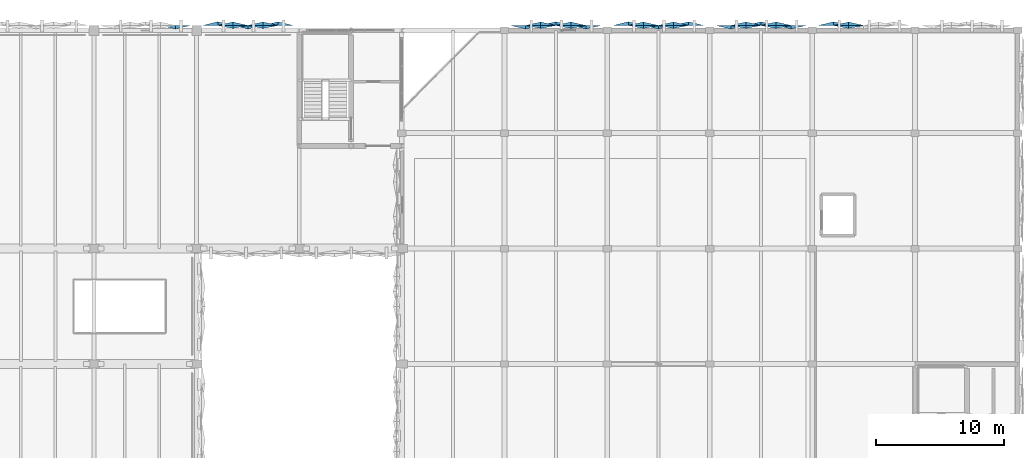
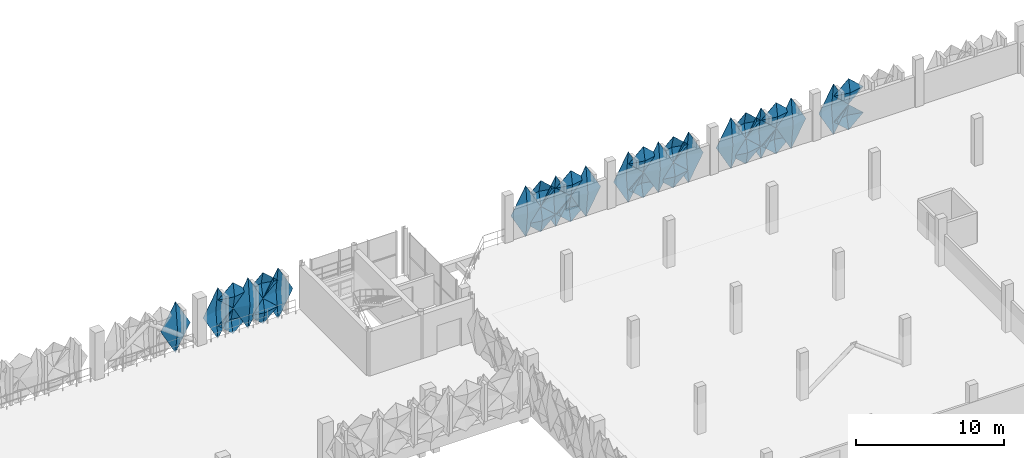
# One storey, part 70 of 83: 32 plates.
"""IFC4 building model written with IfcOpenShell, lengths in metres."""

from ifc_helpers import new_model, si_unit, derived_unit, direction, frame, origin, place, context, subcontext, project, spatial, polygons, material, layer, layer_set, type_object, element, save


model = new_model("IFC4")

# Units and contexts
model_context = context("Model", 3, precision=1e-05, world=origin(), true_north=direction((0.0, 1.0)))
body_context = subcontext(model_context, "Body", "Model", "MODEL_VIEW")
ifc_project = project(units=[si_unit("LENGTHUNIT", "METRE"), si_unit("AREAUNIT", "SQUARE_METRE"), si_unit("VOLUMEUNIT", "CUBIC_METRE"), si_unit("PLANEANGLEUNIT", "RADIAN"), si_unit("MASSUNIT", "GRAM", prefix="KILO"), si_unit("THERMODYNAMICTEMPERATUREUNIT", "KELVIN"), derived_unit("THERMALTRANSMITTANCEUNIT", [(si_unit("POWERUNIT", "WATT"), 1), (si_unit("AREAUNIT", "SQUARE_METRE"), -1), (si_unit("THERMODYNAMICTEMPERATUREUNIT", "KELVIN"), -1)])], contexts=[model_context])

# Site, building, storey
site_placement = place(None, origin())
site = spatial("IfcSite", under=ifc_project, at=site_placement, CompositionType="ELEMENT")
building_placement = place(site_placement, origin())
building = spatial("IfcBuilding", under=site, at=building_placement, Name="Haiyu Intermodal Mobility Hub", CompositionType="ELEMENT")
storey_placement = place(building_placement, frame((0.0, 0.0, 13.39990234375)))
storey = spatial("IfcBuildingStorey", under=building, at=storey_placement, Name="L03", CompositionType="ELEMENT", Elevation=13.39990234375)

# Plates
ifc_material = material(Name="Anodised aluminium 6063-T6", Category="aluminium")
ifc_layer_1 = layer(ifc_material, 0.01806640625)
ifc_layer_set_1 = layer_set([ifc_layer_1], Name="Anodised aluminium 6063-T6")
plate_type_1 = type_object("IfcPlateType", Name="PLT-FC01", PredefinedType="USERDEFINED", material=ifc_layer_set_1)
plate_1_placement = place(storey_placement, origin())
element("IfcPlate", 1, at=plate_1_placement, inside=storey, type_object=plate_type_1, Name="PLT-PYR-0502", ObjectType="FACADE CASSETTE", PredefinedType="USERDEFINED", context=body_context, shape_type="Tessellation", body=[
    polygons([(151.173095703125, 148.39990234375, 1.6201171875), (150.02001953125, 148.39990234375, 2.670166015625), (151.173095703125, 148.39990234375, 3.72021484375), (152.326904296875, 148.39990234375, 2.670166015625), (151.173095703125, 148.659912109375, 2.670166015625), (151.173095703125, 148.3779296875, 1.6201171875), (150.02001953125, 148.3779296875, 2.670166015625), (151.173095703125, 148.3779296875, 3.72021484375), (152.326904296875, 148.3779296875, 2.670166015625), (151.173095703125, 148.637939453125, 2.670166015625)], [[[1, 2, 5]], [[2, 3, 5]], [[3, 4, 5]], [[4, 1, 5]], [[7, 6, 10]], [[8, 7, 10]], [[9, 8, 10]], [[6, 9, 10]], [[1, 6, 7, 2]], [[2, 7, 8, 3]], [[3, 8, 9, 4]], [[4, 9, 6, 1]]], closed=True),
])
plate_2_placement = place(storey_placement, origin())
element("IfcPlate", 2, at=plate_2_placement, inside=storey, type_object=plate_type_1, Name="PLT-PYR-1242", ObjectType="FACADE CASSETTE", PredefinedType="USERDEFINED", context=body_context, shape_type="Tessellation", body=[
    polygons([(174.0, 148.39990234375, -0.510009765625), (172.846923828125, 148.39990234375, 1.60009765625), (174.0, 148.39990234375, 3.710205078125), (175.153076171875, 148.39990234375, 1.60009765625), (174.0, 148.679931640625, 1.60009765625), (174.0, 148.3779296875, -0.510009765625), (172.846923828125, 148.3779296875, 1.60009765625), (174.0, 148.3779296875, 3.710205078125), (175.153076171875, 148.3779296875, 1.60009765625), (174.0, 148.657958984375, 1.60009765625)], [[[1, 2, 5]], [[2, 3, 5]], [[3, 4, 5]], [[4, 1, 5]], [[7, 6, 10]], [[8, 7, 10]], [[9, 8, 10]], [[6, 9, 10]], [[1, 6, 7, 2]], [[2, 7, 8, 3]], [[3, 8, 9, 4]], [[4, 9, 6, 1]]], closed=True),
])
plate_3_placement = place(storey_placement, origin())
element("IfcPlate", 3, at=plate_3_placement, inside=storey, type_object=plate_type_1, Name="PLT-PYR-1244", ObjectType="FACADE CASSETTE", PredefinedType="USERDEFINED", context=body_context, shape_type="Tessellation", body=[
    polygons([(172.826904296875, 148.39990234375, 1.6201171875), (171.673095703125, 148.39990234375, 2.670166015625), (172.826904296875, 148.39990234375, 3.72021484375), (173.97998046875, 148.39990234375, 2.670166015625), (172.826904296875, 148.659912109375, 2.670166015625), (172.826904296875, 148.3779296875, 1.6201171875), (171.673095703125, 148.3779296875, 2.670166015625), (172.826904296875, 148.3779296875, 3.72021484375), (173.97998046875, 148.3779296875, 2.670166015625), (172.826904296875, 148.637939453125, 2.670166015625)], [[[1, 2, 5]], [[2, 3, 5]], [[3, 4, 5]], [[4, 1, 5]], [[7, 6, 10]], [[8, 7, 10]], [[9, 8, 10]], [[6, 9, 10]], [[1, 6, 7, 2]], [[2, 7, 8, 3]], [[3, 8, 9, 4]], [[4, 9, 6, 1]]], closed=True),
])
plate_4_placement = place(storey_placement, origin())
element("IfcPlate", 4, at=plate_4_placement, inside=storey, type_object=plate_type_1, Name="PLT-PYR-1248", ObjectType="FACADE CASSETTE", PredefinedType="USERDEFINED", context=body_context, shape_type="Tessellation", body=[
    polygons([(183.173095703125, 148.39990234375, 1.6201171875), (182.02001953125, 148.39990234375, 2.670166015625), (183.173095703125, 148.39990234375, 3.72021484375), (184.326904296875, 148.39990234375, 2.670166015625), (183.173095703125, 148.659912109375, 2.670166015625), (183.173095703125, 148.3779296875, 1.6201171875), (182.02001953125, 148.3779296875, 2.670166015625), (183.173095703125, 148.3779296875, 3.72021484375), (184.326904296875, 148.3779296875, 2.670166015625), (183.173095703125, 148.637939453125, 2.670166015625)], [[[1, 2, 5]], [[2, 3, 5]], [[3, 4, 5]], [[4, 1, 5]], [[7, 6, 10]], [[8, 7, 10]], [[9, 8, 10]], [[6, 9, 10]], [[1, 6, 7, 2]], [[2, 7, 8, 3]], [[3, 8, 9, 4]], [[4, 9, 6, 1]]], closed=True),
])
plate_5_placement = place(storey_placement, origin())
element("IfcPlate", 5, at=plate_5_placement, inside=storey, type_object=plate_type_1, Name="PLT-PYR-1256", ObjectType="FACADE CASSETTE", PredefinedType="USERDEFINED", context=body_context, shape_type="Tessellation", body=[
    polygons([(190.0, 148.39990234375, -0.510009765625), (188.846923828125, 148.39990234375, 1.60009765625), (190.0, 148.39990234375, 3.710205078125), (191.153076171875, 148.39990234375, 1.60009765625), (190.0, 148.679931640625, 1.60009765625), (190.0, 148.3779296875, -0.510009765625), (188.846923828125, 148.3779296875, 1.60009765625), (190.0, 148.3779296875, 3.710205078125), (191.153076171875, 148.3779296875, 1.60009765625), (190.0, 148.657958984375, 1.60009765625)], [[[1, 2, 5]], [[2, 3, 5]], [[3, 4, 5]], [[4, 1, 5]], [[7, 6, 10]], [[8, 7, 10]], [[9, 8, 10]], [[6, 9, 10]], [[1, 6, 7, 2]], [[2, 7, 8, 3]], [[3, 8, 9, 4]], [[4, 9, 6, 1]]], closed=True),
])
plate_6_placement = place(storey_placement, origin())
element("IfcPlate", 6, at=plate_6_placement, inside=storey, type_object=plate_type_1, Name="PLT-PYR-1258", ObjectType="FACADE CASSETTE", PredefinedType="USERDEFINED", context=body_context, shape_type="Tessellation", body=[
    polygons([(188.826904296875, 148.39990234375, 1.6201171875), (187.673095703125, 148.39990234375, 2.670166015625), (188.826904296875, 148.39990234375, 3.72021484375), (189.97998046875, 148.39990234375, 2.670166015625), (188.826904296875, 148.659912109375, 2.670166015625), (188.826904296875, 148.3779296875, 1.6201171875), (187.673095703125, 148.3779296875, 2.670166015625), (188.826904296875, 148.3779296875, 3.72021484375), (189.97998046875, 148.3779296875, 2.670166015625), (188.826904296875, 148.637939453125, 2.670166015625)], [[[1, 2, 5]], [[2, 3, 5]], [[3, 4, 5]], [[4, 1, 5]], [[7, 6, 10]], [[8, 7, 10]], [[9, 8, 10]], [[6, 9, 10]], [[1, 6, 7, 2]], [[2, 7, 8, 3]], [[3, 8, 9, 4]], [[4, 9, 6, 1]]], closed=True),
])
ifc_layer_2 = layer(ifc_material, 0.02001953125)
ifc_layer_set_2 = layer_set([ifc_layer_2], Name="Anodised aluminium 6063-T6")
plate_type_2 = type_object("IfcPlateType", Name="PLT-FC02", PredefinedType="USERDEFINED", material=ifc_layer_set_2)
plate_7_placement = place(storey_placement, origin())
element("IfcPlate", 7, at=plate_7_placement, inside=storey, type_object=plate_type_2, Name="PLT-PYR-0503", ObjectType="FACADE CASSETTE", PredefinedType="USERDEFINED", context=body_context, shape_type="Tessellation", body=[
    polygons([(150.0, 148.39990234375, -0.510009765625), (148.846923828125, 148.39990234375, 1.60009765625), (150.0, 148.39990234375, 3.710205078125), (151.153076171875, 148.39990234375, 1.60009765625), (150.0, 148.139892578125, 1.60009765625), (150.0, 148.3779296875, -0.510009765625), (148.846923828125, 148.3779296875, 1.60009765625), (150.0, 148.3779296875, 3.710205078125), (151.153076171875, 148.3779296875, 1.60009765625), (150.0, 148.117919921875, 1.60009765625)], [[[1, 2, 5]], [[2, 3, 5]], [[3, 4, 5]], [[4, 1, 5]], [[7, 6, 10]], [[8, 7, 10]], [[9, 8, 10]], [[6, 9, 10]], [[1, 6, 7, 2]], [[2, 7, 8, 3]], [[3, 8, 9, 4]], [[4, 9, 6, 1]]], closed=True),
])
plate_8_placement = place(storey_placement, origin())
element("IfcPlate", 8, at=plate_8_placement, inside=storey, type_object=plate_type_2, Name="PLT-PYR-0505", ObjectType="FACADE CASSETTE", PredefinedType="USERDEFINED", context=body_context, shape_type="Tessellation", body=[
    polygons([(148.826904296875, 148.39990234375, 1.6201171875), (147.673095703125, 148.39990234375, 2.670166015625), (148.826904296875, 148.39990234375, 3.72021484375), (149.97998046875, 148.39990234375, 2.670166015625), (148.826904296875, 148.179931640625, 2.670166015625), (148.826904296875, 148.3779296875, 1.6201171875), (147.673095703125, 148.3779296875, 2.670166015625), (148.826904296875, 148.3779296875, 3.72021484375), (149.97998046875, 148.3779296875, 2.670166015625), (148.826904296875, 148.157958984375, 2.670166015625)], [[[1, 2, 5]], [[2, 3, 5]], [[3, 4, 5]], [[4, 1, 5]], [[7, 6, 10]], [[8, 7, 10]], [[9, 8, 10]], [[6, 9, 10]], [[1, 6, 7, 2]], [[2, 7, 8, 3]], [[3, 8, 9, 4]], [[4, 9, 6, 1]]], closed=True),
])
plate_9_placement = place(storey_placement, origin())
element("IfcPlate", 9, at=plate_9_placement, inside=storey, type_object=plate_type_2, Name="PLT-PYR-1241", ObjectType="FACADE CASSETTE", PredefinedType="USERDEFINED", context=body_context, shape_type="Tessellation", body=[
    polygons([(175.173095703125, 148.39990234375, 1.6201171875), (174.02001953125, 148.39990234375, 2.670166015625), (175.173095703125, 148.39990234375, 3.72021484375), (176.326904296875, 148.39990234375, 2.670166015625), (175.173095703125, 148.179931640625, 2.670166015625), (175.173095703125, 148.3779296875, 1.6201171875), (174.02001953125, 148.3779296875, 2.670166015625), (175.173095703125, 148.3779296875, 3.72021484375), (176.326904296875, 148.3779296875, 2.670166015625), (175.173095703125, 148.157958984375, 2.670166015625)], [[[1, 2, 5]], [[2, 3, 5]], [[3, 4, 5]], [[4, 1, 5]], [[7, 6, 10]], [[8, 7, 10]], [[9, 8, 10]], [[6, 9, 10]], [[1, 6, 7, 2]], [[2, 7, 8, 3]], [[3, 8, 9, 4]], [[4, 9, 6, 1]]], closed=True),
])
plate_10_placement = place(storey_placement, origin())
element("IfcPlate", 10, at=plate_10_placement, inside=storey, type_object=plate_type_2, Name="PLT-PYR-1249", ObjectType="FACADE CASSETTE", PredefinedType="USERDEFINED", context=body_context, shape_type="Tessellation", body=[
    polygons([(182.0, 148.39990234375, -0.510009765625), (180.846923828125, 148.39990234375, 1.60009765625), (182.0, 148.39990234375, 3.710205078125), (183.153076171875, 148.39990234375, 1.60009765625), (182.0, 148.139892578125, 1.60009765625), (182.0, 148.3779296875, -0.510009765625), (180.846923828125, 148.3779296875, 1.60009765625), (182.0, 148.3779296875, 3.710205078125), (183.153076171875, 148.3779296875, 1.60009765625), (182.0, 148.117919921875, 1.60009765625)], [[[1, 2, 5]], [[2, 3, 5]], [[3, 4, 5]], [[4, 1, 5]], [[7, 6, 10]], [[8, 7, 10]], [[9, 8, 10]], [[6, 9, 10]], [[1, 6, 7, 2]], [[2, 7, 8, 3]], [[3, 8, 9, 4]], [[4, 9, 6, 1]]], closed=True),
])
plate_11_placement = place(storey_placement, origin())
element("IfcPlate", 11, at=plate_11_placement, inside=storey, type_object=plate_type_2, Name="PLT-PYR-1251", ObjectType="FACADE CASSETTE", PredefinedType="USERDEFINED", context=body_context, shape_type="Tessellation", body=[
    polygons([(180.826904296875, 148.39990234375, 1.6201171875), (179.673095703125, 148.39990234375, 2.670166015625), (180.826904296875, 148.39990234375, 3.72021484375), (181.97998046875, 148.39990234375, 2.670166015625), (180.826904296875, 148.179931640625, 2.670166015625), (180.826904296875, 148.3779296875, 1.6201171875), (179.673095703125, 148.3779296875, 2.670166015625), (180.826904296875, 148.3779296875, 3.72021484375), (181.97998046875, 148.3779296875, 2.670166015625), (180.826904296875, 148.157958984375, 2.670166015625)], [[[1, 2, 5]], [[2, 3, 5]], [[3, 4, 5]], [[4, 1, 5]], [[7, 6, 10]], [[8, 7, 10]], [[9, 8, 10]], [[6, 9, 10]], [[1, 6, 7, 2]], [[2, 7, 8, 3]], [[3, 8, 9, 4]], [[4, 9, 6, 1]]], closed=True),
])
plate_12_placement = place(storey_placement, origin())
element("IfcPlate", 12, at=plate_12_placement, inside=storey, type_object=plate_type_2, Name="PLT-PYR-1255", ObjectType="FACADE CASSETTE", PredefinedType="USERDEFINED", context=body_context, shape_type="Tessellation", body=[
    polygons([(191.173095703125, 148.39990234375, 1.6201171875), (190.02001953125, 148.39990234375, 2.670166015625), (191.173095703125, 148.39990234375, 3.72021484375), (192.326904296875, 148.39990234375, 2.670166015625), (191.173095703125, 148.179931640625, 2.670166015625), (191.173095703125, 148.3779296875, 1.6201171875), (190.02001953125, 148.3779296875, 2.670166015625), (191.173095703125, 148.3779296875, 3.72021484375), (192.326904296875, 148.3779296875, 2.670166015625), (191.173095703125, 148.157958984375, 2.670166015625)], [[[1, 2, 5]], [[2, 3, 5]], [[3, 4, 5]], [[4, 1, 5]], [[7, 6, 10]], [[8, 7, 10]], [[9, 8, 10]], [[6, 9, 10]], [[1, 6, 7, 2]], [[2, 7, 8, 3]], [[3, 8, 9, 4]], [[4, 9, 6, 1]]], closed=True),
])
plate_13_placement = place(storey_placement, origin())
element("IfcPlate", 13, at=plate_13_placement, inside=storey, type_object=plate_type_2, Name="PLT-PYR-1265", ObjectType="FACADE CASSETTE", PredefinedType="USERDEFINED", context=body_context, shape_type="Tessellation", body=[
    polygons([(196.826904296875, 148.39990234375, 1.6201171875), (195.673095703125, 148.39990234375, 2.670166015625), (196.826904296875, 148.39990234375, 3.72021484375), (197.97998046875, 148.39990234375, 2.670166015625), (196.826904296875, 148.179931640625, 2.670166015625), (196.826904296875, 148.3779296875, 1.6201171875), (195.673095703125, 148.3779296875, 2.670166015625), (196.826904296875, 148.3779296875, 3.72021484375), (197.97998046875, 148.3779296875, 2.670166015625), (196.826904296875, 148.157958984375, 2.670166015625)], [[[1, 2, 5]], [[2, 3, 5]], [[3, 4, 5]], [[4, 1, 5]], [[7, 6, 10]], [[8, 7, 10]], [[9, 8, 10]], [[6, 9, 10]], [[1, 6, 7, 2]], [[2, 7, 8, 3]], [[3, 8, 9, 4]], [[4, 9, 6, 1]]], closed=True),
])
ifc_layer_3 = layer(ifc_material, 0.01806640625)
ifc_layer_set_3 = layer_set([ifc_layer_3], Name="Anodised aluminium 6063-T6")
plate_type_3 = type_object("IfcPlateType", Name="PLT-FC03", PredefinedType="USERDEFINED", material=ifc_layer_set_3)
plate_14_placement = place(storey_placement, origin())
element("IfcPlate", 14, at=plate_14_placement, inside=storey, type_object=plate_type_3, Name="PLT-PYR-0506", ObjectType="FACADE CASSETTE", PredefinedType="USERDEFINED", context=body_context, shape_type="Tessellation", body=[
    polygons([(147.653076171875, 148.39990234375, -0.510009765625), (146.5, 148.39990234375, 1.60009765625), (147.653076171875, 148.39990234375, 3.710205078125), (148.806884765625, 148.39990234375, 1.60009765625), (147.653076171875, 148.679931640625, 1.60009765625), (147.653076171875, 148.3779296875, -0.510009765625), (146.5, 148.3779296875, 1.60009765625), (147.653076171875, 148.3779296875, 3.710205078125), (148.806884765625, 148.3779296875, 1.60009765625), (147.653076171875, 148.657958984375, 1.60009765625)], [[[1, 2, 5]], [[2, 3, 5]], [[3, 4, 5]], [[4, 1, 5]], [[7, 6, 10]], [[8, 7, 10]], [[9, 8, 10]], [[6, 9, 10]], [[1, 6, 7, 2]], [[2, 7, 8, 3]], [[3, 8, 9, 4]], [[4, 9, 6, 1]]], closed=True),
])
plate_15_placement = place(storey_placement, origin())
element("IfcPlate", 15, at=plate_15_placement, inside=storey, type_object=plate_type_3, Name="PLT-PYR-1252", ObjectType="FACADE CASSETTE", PredefinedType="USERDEFINED", context=body_context, shape_type="Tessellation", body=[
    polygons([(179.653076171875, 148.39990234375, -0.510009765625), (178.5, 148.39990234375, 1.60009765625), (179.653076171875, 148.39990234375, 3.710205078125), (180.806884765625, 148.39990234375, 1.60009765625), (179.653076171875, 148.679931640625, 1.60009765625), (179.653076171875, 148.3779296875, -0.510009765625), (178.5, 148.3779296875, 1.60009765625), (179.653076171875, 148.3779296875, 3.710205078125), (180.806884765625, 148.3779296875, 1.60009765625), (179.653076171875, 148.657958984375, 1.60009765625)], [[[1, 2, 5]], [[2, 3, 5]], [[3, 4, 5]], [[4, 1, 5]], [[7, 6, 10]], [[8, 7, 10]], [[9, 8, 10]], [[6, 9, 10]], [[1, 6, 7, 2]], [[2, 7, 8, 3]], [[3, 8, 9, 4]], [[4, 9, 6, 1]]], closed=True),
])
plate_16_placement = place(storey_placement, origin())
element("IfcPlate", 16, at=plate_16_placement, inside=storey, type_object=plate_type_3, Name="PLT-PYR-1266", ObjectType="FACADE CASSETTE", PredefinedType="USERDEFINED", context=body_context, shape_type="Tessellation", body=[
    polygons([(195.653076171875, 148.39990234375, -0.510009765625), (194.5, 148.39990234375, 1.60009765625), (195.653076171875, 148.39990234375, 3.710205078125), (196.806884765625, 148.39990234375, 1.60009765625), (195.653076171875, 148.679931640625, 1.60009765625), (195.653076171875, 148.3779296875, -0.510009765625), (194.5, 148.3779296875, 1.60009765625), (195.653076171875, 148.3779296875, 3.710205078125), (196.806884765625, 148.3779296875, 1.60009765625), (195.653076171875, 148.657958984375, 1.60009765625)], [[[1, 2, 5]], [[2, 3, 5]], [[3, 4, 5]], [[4, 1, 5]], [[7, 6, 10]], [[8, 7, 10]], [[9, 8, 10]], [[6, 9, 10]], [[1, 6, 7, 2]], [[2, 7, 8, 3]], [[3, 8, 9, 4]], [[4, 9, 6, 1]]], closed=True),
])
ifc_layer_4 = layer(ifc_material, 0.02001953125)
ifc_layer_set_4 = layer_set([ifc_layer_4], Name="Anodised aluminium 6063-T6")
plate_type_4 = type_object("IfcPlateType", Name="PLT-FC04", PredefinedType="USERDEFINED", material=ifc_layer_set_4)
plate_17_placement = place(storey_placement, origin())
element("IfcPlate", 17, at=plate_17_placement, inside=storey, type_object=plate_type_4, Name="PLT-PYR-1245", ObjectType="FACADE CASSETTE", PredefinedType="USERDEFINED", context=body_context, shape_type="Tessellation", body=[
    polygons([(171.653076171875, 148.39990234375, -0.510009765625), (170.5, 148.39990234375, 1.60009765625), (171.653076171875, 148.39990234375, 3.710205078125), (172.806884765625, 148.39990234375, 1.60009765625), (171.653076171875, 148.139892578125, 1.60009765625), (171.653076171875, 148.3779296875, -0.510009765625), (170.5, 148.3779296875, 1.60009765625), (171.653076171875, 148.3779296875, 3.710205078125), (172.806884765625, 148.3779296875, 1.60009765625), (171.653076171875, 148.117919921875, 1.60009765625)], [[[1, 2, 5]], [[2, 3, 5]], [[3, 4, 5]], [[4, 1, 5]], [[7, 6, 10]], [[8, 7, 10]], [[9, 8, 10]], [[6, 9, 10]], [[1, 6, 7, 2]], [[2, 7, 8, 3]], [[3, 8, 9, 4]], [[4, 9, 6, 1]]], closed=True),
])
plate_18_placement = place(storey_placement, origin())
element("IfcPlate", 18, at=plate_18_placement, inside=storey, type_object=plate_type_4, Name="PLT-PYR-1259", ObjectType="FACADE CASSETTE", PredefinedType="USERDEFINED", context=body_context, shape_type="Tessellation", body=[
    polygons([(187.653076171875, 148.39990234375, -0.510009765625), (186.5, 148.39990234375, 1.60009765625), (187.653076171875, 148.39990234375, 3.710205078125), (188.806884765625, 148.39990234375, 1.60009765625), (187.653076171875, 148.139892578125, 1.60009765625), (187.653076171875, 148.3779296875, -0.510009765625), (186.5, 148.3779296875, 1.60009765625), (187.653076171875, 148.3779296875, 3.710205078125), (188.806884765625, 148.3779296875, 1.60009765625), (187.653076171875, 148.117919921875, 1.60009765625)], [[[1, 2, 5]], [[2, 3, 5]], [[3, 4, 5]], [[4, 1, 5]], [[7, 6, 10]], [[8, 7, 10]], [[9, 8, 10]], [[6, 9, 10]], [[1, 6, 7, 2]], [[2, 7, 8, 3]], [[3, 8, 9, 4]], [[4, 9, 6, 1]]], closed=True),
])
ifc_layer_5 = layer(ifc_material, 0.02197265625)
ifc_layer_set_5 = layer_set([ifc_layer_5], Name="Anodised aluminium 6063-T6")
plate_type_5 = type_object("IfcPlateType", Name="PLT-FC07", PredefinedType="USERDEFINED", material=ifc_layer_set_5)
plate_19_placement = place(storey_placement, origin())
element("IfcPlate", 19, at=plate_19_placement, inside=storey, type_object=plate_type_5, Name="PLT-PYR-0500", ObjectType="FACADE CASSETTE", PredefinedType="USERDEFINED", context=body_context, shape_type="Tessellation", body=[
    polygons([(152.346923828125, 148.39990234375, -0.510009765625), (151.193115234375, 148.39990234375, 1.60009765625), (152.346923828125, 148.39990234375, 3.710205078125), (153.5, 148.39990234375, 1.60009765625), (152.346923828125, 148.679931640625, 1.60009765625), (152.346923828125, 148.3779296875, -0.510009765625), (151.193115234375, 148.3779296875, 1.60009765625), (152.346923828125, 148.3779296875, 3.710205078125), (153.5, 148.3779296875, 1.60009765625), (152.346923828125, 148.657958984375, 1.60009765625)], [[[1, 2, 5]], [[2, 3, 5]], [[3, 4, 5]], [[4, 1, 5]], [[7, 6, 10]], [[8, 7, 10]], [[9, 8, 10]], [[6, 9, 10]], [[1, 6, 7, 2]], [[2, 7, 8, 3]], [[3, 8, 9, 4]], [[4, 9, 6, 1]]], closed=True),
])
plate_20_placement = place(storey_placement, origin())
element("IfcPlate", 20, at=plate_20_placement, inside=storey, type_object=plate_type_5, Name="PLT-PYR-0504", ObjectType="FACADE CASSETTE", PredefinedType="USERDEFINED", context=body_context, shape_type="Tessellation", body=[
    polygons([(148.826904296875, 148.39990234375, -0.52001953125), (147.673095703125, 148.39990234375, 0.530029296875), (148.826904296875, 148.39990234375, 1.580078125), (149.97998046875, 148.39990234375, 0.530029296875), (148.826904296875, 148.659912109375, 0.530029296875), (148.826904296875, 148.3779296875, -0.52001953125), (147.673095703125, 148.3779296875, 0.530029296875), (148.826904296875, 148.3779296875, 1.580078125), (149.97998046875, 148.3779296875, 0.530029296875), (148.826904296875, 148.637939453125, 0.530029296875)], [[[1, 2, 5]], [[2, 3, 5]], [[3, 4, 5]], [[4, 1, 5]], [[7, 6, 10]], [[8, 7, 10]], [[9, 8, 10]], [[6, 9, 10]], [[1, 6, 7, 2]], [[2, 7, 8, 3]], [[3, 8, 9, 4]], [[4, 9, 6, 1]]], closed=True),
])
plate_21_placement = place(storey_placement, origin())
element("IfcPlate", 21, at=plate_21_placement, inside=storey, type_object=plate_type_5, Name="PLT-PYR-1240", ObjectType="FACADE CASSETTE", PredefinedType="USERDEFINED", context=body_context, shape_type="Tessellation", body=[
    polygons([(175.173095703125, 148.39990234375, -0.52001953125), (174.02001953125, 148.39990234375, 0.530029296875), (175.173095703125, 148.39990234375, 1.580078125), (176.326904296875, 148.39990234375, 0.530029296875), (175.173095703125, 148.659912109375, 0.530029296875), (175.173095703125, 148.3779296875, -0.52001953125), (174.02001953125, 148.3779296875, 0.530029296875), (175.173095703125, 148.3779296875, 1.580078125), (176.326904296875, 148.3779296875, 0.530029296875), (175.173095703125, 148.637939453125, 0.530029296875)], [[[1, 2, 5]], [[2, 3, 5]], [[3, 4, 5]], [[4, 1, 5]], [[7, 6, 10]], [[8, 7, 10]], [[9, 8, 10]], [[6, 9, 10]], [[1, 6, 7, 2]], [[2, 7, 8, 3]], [[3, 8, 9, 4]], [[4, 9, 6, 1]]], closed=True),
])
plate_22_placement = place(storey_placement, origin())
element("IfcPlate", 22, at=plate_22_placement, inside=storey, type_object=plate_type_5, Name="PLT-PYR-1246", ObjectType="FACADE CASSETTE", PredefinedType="USERDEFINED", context=body_context, shape_type="Tessellation", body=[
    polygons([(184.346923828125, 148.39990234375, -0.510009765625), (183.193115234375, 148.39990234375, 1.60009765625), (184.346923828125, 148.39990234375, 3.710205078125), (185.5, 148.39990234375, 1.60009765625), (184.346923828125, 148.679931640625, 1.60009765625), (184.346923828125, 148.3779296875, -0.510009765625), (183.193115234375, 148.3779296875, 1.60009765625), (184.346923828125, 148.3779296875, 3.710205078125), (185.5, 148.3779296875, 1.60009765625), (184.346923828125, 148.657958984375, 1.60009765625)], [[[1, 2, 5]], [[2, 3, 5]], [[3, 4, 5]], [[4, 1, 5]], [[7, 6, 10]], [[8, 7, 10]], [[9, 8, 10]], [[6, 9, 10]], [[1, 6, 7, 2]], [[2, 7, 8, 3]], [[3, 8, 9, 4]], [[4, 9, 6, 1]]], closed=True),
])
plate_23_placement = place(storey_placement, origin())
element("IfcPlate", 23, at=plate_23_placement, inside=storey, type_object=plate_type_5, Name="PLT-PYR-1250", ObjectType="FACADE CASSETTE", PredefinedType="USERDEFINED", context=body_context, shape_type="Tessellation", body=[
    polygons([(180.826904296875, 148.39990234375, -0.52001953125), (179.673095703125, 148.39990234375, 0.530029296875), (180.826904296875, 148.39990234375, 1.580078125), (181.97998046875, 148.39990234375, 0.530029296875), (180.826904296875, 148.659912109375, 0.530029296875), (180.826904296875, 148.3779296875, -0.52001953125), (179.673095703125, 148.3779296875, 0.530029296875), (180.826904296875, 148.3779296875, 1.580078125), (181.97998046875, 148.3779296875, 0.530029296875), (180.826904296875, 148.637939453125, 0.530029296875)], [[[1, 2, 5]], [[2, 3, 5]], [[3, 4, 5]], [[4, 1, 5]], [[7, 6, 10]], [[8, 7, 10]], [[9, 8, 10]], [[6, 9, 10]], [[1, 6, 7, 2]], [[2, 7, 8, 3]], [[3, 8, 9, 4]], [[4, 9, 6, 1]]], closed=True),
])
plate_24_placement = place(storey_placement, origin())
element("IfcPlate", 24, at=plate_24_placement, inside=storey, type_object=plate_type_5, Name="PLT-PYR-1254", ObjectType="FACADE CASSETTE", PredefinedType="USERDEFINED", context=body_context, shape_type="Tessellation", body=[
    polygons([(191.173095703125, 148.39990234375, -0.52001953125), (190.02001953125, 148.39990234375, 0.530029296875), (191.173095703125, 148.39990234375, 1.580078125), (192.326904296875, 148.39990234375, 0.530029296875), (191.173095703125, 148.659912109375, 0.530029296875), (191.173095703125, 148.3779296875, -0.52001953125), (190.02001953125, 148.3779296875, 0.530029296875), (191.173095703125, 148.3779296875, 1.580078125), (192.326904296875, 148.3779296875, 0.530029296875), (191.173095703125, 148.637939453125, 0.530029296875)], [[[1, 2, 5]], [[2, 3, 5]], [[3, 4, 5]], [[4, 1, 5]], [[7, 6, 10]], [[8, 7, 10]], [[9, 8, 10]], [[6, 9, 10]], [[1, 6, 7, 2]], [[2, 7, 8, 3]], [[3, 8, 9, 4]], [[4, 9, 6, 1]]], closed=True),
])
plate_25_placement = place(storey_placement, origin())
element("IfcPlate", 25, at=plate_25_placement, inside=storey, type_object=plate_type_5, Name="PLT-PYR-1264", ObjectType="FACADE CASSETTE", PredefinedType="USERDEFINED", context=body_context, shape_type="Tessellation", body=[
    polygons([(196.826904296875, 148.39990234375, -0.52001953125), (195.673095703125, 148.39990234375, 0.530029296875), (196.826904296875, 148.39990234375, 1.580078125), (197.97998046875, 148.39990234375, 0.530029296875), (196.826904296875, 148.659912109375, 0.530029296875), (196.826904296875, 148.3779296875, -0.52001953125), (195.673095703125, 148.3779296875, 0.530029296875), (196.826904296875, 148.3779296875, 1.580078125), (197.97998046875, 148.3779296875, 0.530029296875), (196.826904296875, 148.637939453125, 0.530029296875)], [[[1, 2, 5]], [[2, 3, 5]], [[3, 4, 5]], [[4, 1, 5]], [[7, 6, 10]], [[8, 7, 10]], [[9, 8, 10]], [[6, 9, 10]], [[1, 6, 7, 2]], [[2, 7, 8, 3]], [[3, 8, 9, 4]], [[4, 9, 6, 1]]], closed=True),
])
ifc_layer_6 = layer(ifc_material, 0.02392578125)
ifc_layer_set_6 = layer_set([ifc_layer_6], Name="Anodised aluminium 6063-T6")
plate_type_6 = type_object("IfcPlateType", Name="PLT-FC08", PredefinedType="USERDEFINED", material=ifc_layer_set_6)
plate_26_placement = place(storey_placement, origin())
element("IfcPlate", 26, at=plate_26_placement, inside=storey, type_object=plate_type_6, Name="PLT-PYR-0465", ObjectType="FACADE CASSETTE", PredefinedType="USERDEFINED", context=body_context, shape_type="Tessellation", body=[
    polygons([(144.346923828125, 148.39990234375, -0.510009765625), (143.193115234375, 148.39990234375, 1.60009765625), (144.346923828125, 148.39990234375, 3.710205078125), (145.5, 148.39990234375, 1.60009765625), (144.346923828125, 148.139892578125, 1.60009765625), (144.346923828125, 148.3779296875, -0.510009765625), (143.193115234375, 148.3779296875, 1.60009765625), (144.346923828125, 148.3779296875, 3.710205078125), (145.5, 148.3779296875, 1.60009765625), (144.346923828125, 148.117919921875, 1.60009765625)], [[[1, 2, 5]], [[2, 3, 5]], [[3, 4, 5]], [[4, 1, 5]], [[7, 6, 10]], [[8, 7, 10]], [[9, 8, 10]], [[6, 9, 10]], [[1, 6, 7, 2]], [[2, 7, 8, 3]], [[3, 8, 9, 4]], [[4, 9, 6, 1]]], closed=True),
])
plate_27_placement = place(storey_placement, origin())
element("IfcPlate", 27, at=plate_27_placement, inside=storey, type_object=plate_type_6, Name="PLT-PYR-0501", ObjectType="FACADE CASSETTE", PredefinedType="USERDEFINED", context=body_context, shape_type="Tessellation", body=[
    polygons([(151.173095703125, 148.39990234375, -0.52001953125), (150.02001953125, 148.39990234375, 0.530029296875), (151.173095703125, 148.39990234375, 1.580078125), (152.326904296875, 148.39990234375, 0.530029296875), (151.173095703125, 148.179931640625, 0.530029296875), (151.173095703125, 148.3779296875, -0.52001953125), (150.02001953125, 148.3779296875, 0.530029296875), (151.173095703125, 148.3779296875, 1.580078125), (152.326904296875, 148.3779296875, 0.530029296875), (151.173095703125, 148.157958984375, 0.530029296875)], [[[1, 2, 5]], [[2, 3, 5]], [[3, 4, 5]], [[4, 1, 5]], [[7, 6, 10]], [[8, 7, 10]], [[9, 8, 10]], [[6, 9, 10]], [[1, 6, 7, 2]], [[2, 7, 8, 3]], [[3, 8, 9, 4]], [[4, 9, 6, 1]]], closed=True),
])
plate_28_placement = place(storey_placement, origin())
element("IfcPlate", 28, at=plate_28_placement, inside=storey, type_object=plate_type_6, Name="PLT-PYR-1239", ObjectType="FACADE CASSETTE", PredefinedType="USERDEFINED", context=body_context, shape_type="Tessellation", body=[
    polygons([(176.346923828125, 148.39990234375, -0.510009765625), (175.193115234375, 148.39990234375, 1.60009765625), (176.346923828125, 148.39990234375, 3.710205078125), (177.5, 148.39990234375, 1.60009765625), (176.346923828125, 148.139892578125, 1.60009765625), (176.346923828125, 148.3779296875, -0.510009765625), (175.193115234375, 148.3779296875, 1.60009765625), (176.346923828125, 148.3779296875, 3.710205078125), (177.5, 148.3779296875, 1.60009765625), (176.346923828125, 148.117919921875, 1.60009765625)], [[[1, 2, 5]], [[2, 3, 5]], [[3, 4, 5]], [[4, 1, 5]], [[7, 6, 10]], [[8, 7, 10]], [[9, 8, 10]], [[6, 9, 10]], [[1, 6, 7, 2]], [[2, 7, 8, 3]], [[3, 8, 9, 4]], [[4, 9, 6, 1]]], closed=True),
])
plate_29_placement = place(storey_placement, origin())
element("IfcPlate", 29, at=plate_29_placement, inside=storey, type_object=plate_type_6, Name="PLT-PYR-1243", ObjectType="FACADE CASSETTE", PredefinedType="USERDEFINED", context=body_context, shape_type="Tessellation", body=[
    polygons([(172.826904296875, 148.39990234375, -0.52001953125), (171.673095703125, 148.39990234375, 0.530029296875), (172.826904296875, 148.39990234375, 1.580078125), (173.97998046875, 148.39990234375, 0.530029296875), (172.826904296875, 148.179931640625, 0.530029296875), (172.826904296875, 148.3779296875, -0.52001953125), (171.673095703125, 148.3779296875, 0.530029296875), (172.826904296875, 148.3779296875, 1.580078125), (173.97998046875, 148.3779296875, 0.530029296875), (172.826904296875, 148.157958984375, 0.530029296875)], [[[1, 2, 5]], [[2, 3, 5]], [[3, 4, 5]], [[4, 1, 5]], [[7, 6, 10]], [[8, 7, 10]], [[9, 8, 10]], [[6, 9, 10]], [[1, 6, 7, 2]], [[2, 7, 8, 3]], [[3, 8, 9, 4]], [[4, 9, 6, 1]]], closed=True),
])
plate_30_placement = place(storey_placement, origin())
element("IfcPlate", 30, at=plate_30_placement, inside=storey, type_object=plate_type_6, Name="PLT-PYR-1247", ObjectType="FACADE CASSETTE", PredefinedType="USERDEFINED", context=body_context, shape_type="Tessellation", body=[
    polygons([(183.173095703125, 148.39990234375, -0.52001953125), (182.02001953125, 148.39990234375, 0.530029296875), (183.173095703125, 148.39990234375, 1.580078125), (184.326904296875, 148.39990234375, 0.530029296875), (183.173095703125, 148.179931640625, 0.530029296875), (183.173095703125, 148.3779296875, -0.52001953125), (182.02001953125, 148.3779296875, 0.530029296875), (183.173095703125, 148.3779296875, 1.580078125), (184.326904296875, 148.3779296875, 0.530029296875), (183.173095703125, 148.157958984375, 0.530029296875)], [[[1, 2, 5]], [[2, 3, 5]], [[3, 4, 5]], [[4, 1, 5]], [[7, 6, 10]], [[8, 7, 10]], [[9, 8, 10]], [[6, 9, 10]], [[1, 6, 7, 2]], [[2, 7, 8, 3]], [[3, 8, 9, 4]], [[4, 9, 6, 1]]], closed=True),
])
plate_31_placement = place(storey_placement, origin())
element("IfcPlate", 31, at=plate_31_placement, inside=storey, type_object=plate_type_6, Name="PLT-PYR-1253", ObjectType="FACADE CASSETTE", PredefinedType="USERDEFINED", context=body_context, shape_type="Tessellation", body=[
    polygons([(192.346923828125, 148.39990234375, -0.510009765625), (191.193115234375, 148.39990234375, 1.60009765625), (192.346923828125, 148.39990234375, 3.710205078125), (193.5, 148.39990234375, 1.60009765625), (192.346923828125, 148.139892578125, 1.60009765625), (192.346923828125, 148.3779296875, -0.510009765625), (191.193115234375, 148.3779296875, 1.60009765625), (192.346923828125, 148.3779296875, 3.710205078125), (193.5, 148.3779296875, 1.60009765625), (192.346923828125, 148.117919921875, 1.60009765625)], [[[1, 2, 5]], [[2, 3, 5]], [[3, 4, 5]], [[4, 1, 5]], [[7, 6, 10]], [[8, 7, 10]], [[9, 8, 10]], [[6, 9, 10]], [[1, 6, 7, 2]], [[2, 7, 8, 3]], [[3, 8, 9, 4]], [[4, 9, 6, 1]]], closed=True),
])
plate_32_placement = place(storey_placement, origin())
element("IfcPlate", 32, at=plate_32_placement, inside=storey, type_object=plate_type_6, Name="PLT-PYR-1257", ObjectType="FACADE CASSETTE", PredefinedType="USERDEFINED", context=body_context, shape_type="Tessellation", body=[
    polygons([(188.826904296875, 148.39990234375, -0.52001953125), (187.673095703125, 148.39990234375, 0.530029296875), (188.826904296875, 148.39990234375, 1.580078125), (189.97998046875, 148.39990234375, 0.530029296875), (188.826904296875, 148.179931640625, 0.530029296875), (188.826904296875, 148.3779296875, -0.52001953125), (187.673095703125, 148.3779296875, 0.530029296875), (188.826904296875, 148.3779296875, 1.580078125), (189.97998046875, 148.3779296875, 0.530029296875), (188.826904296875, 148.157958984375, 0.530029296875)], [[[1, 2, 5]], [[2, 3, 5]], [[3, 4, 5]], [[4, 1, 5]], [[7, 6, 10]], [[8, 7, 10]], [[9, 8, 10]], [[6, 9, 10]], [[1, 6, 7, 2]], [[2, 7, 8, 3]], [[3, 8, 9, 4]], [[4, 9, 6, 1]]], closed=True),
])

save(model, "model.ifc")
